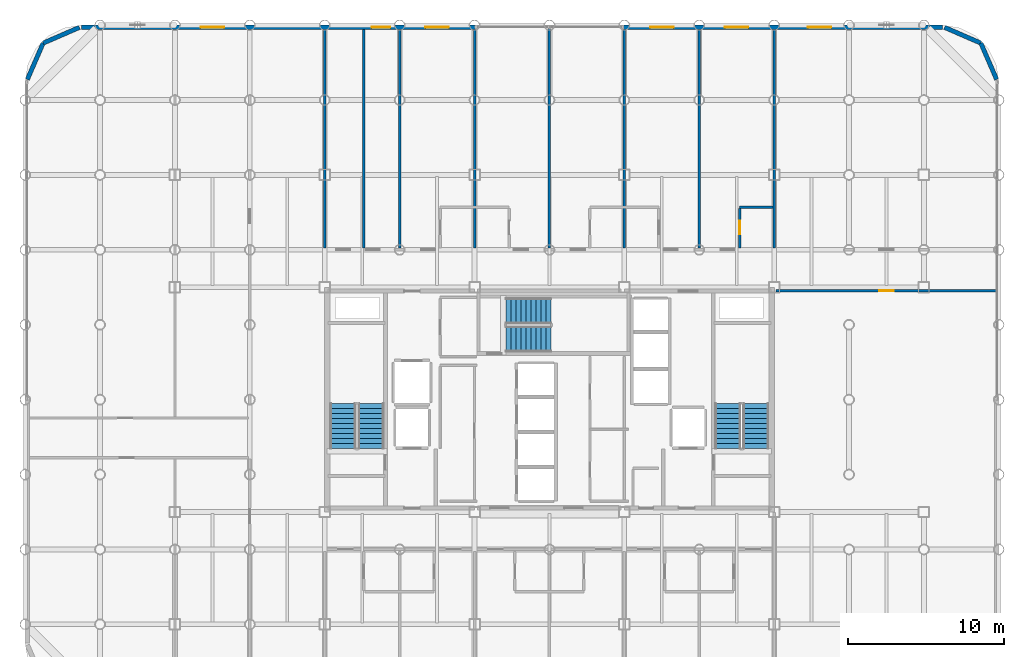
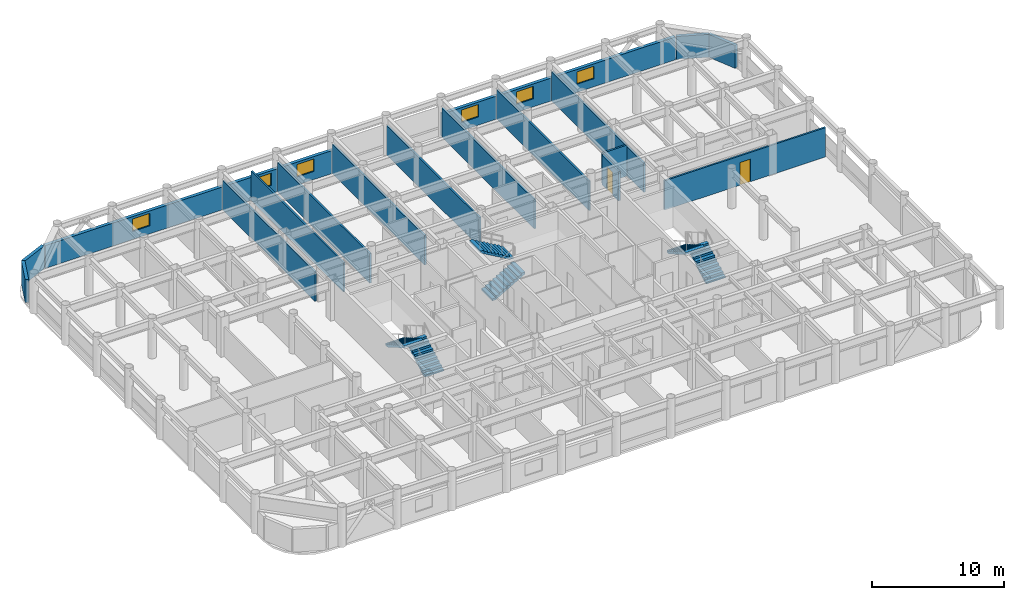
# One storey, part 19 of 20: 17 walls, 6 stair flights, 6 windows, 2 doors, 8 openings, 3 elements without a shape of their own.
"""IFC4 building model written with IfcOpenShell, lengths in metres."""

from ifc_helpers import new_model, si_unit, direction, frame, frame_2d, origin, place, context, subcontext, project, spatial, polyline, rectangle, outline, extrude, material, layer, layer_set, type_object, element, fill, aggregate, save


model = new_model("IFC4")

# Units and contexts
model_context = context("Model", 3, precision=1e-05, world=origin(), true_north=direction((0.0, 1.0)))
body_context = subcontext(model_context, "Body", "Model", "MODEL_VIEW")
ifc_project = project(units=[si_unit("LENGTHUNIT", "METRE"), si_unit("AREAUNIT", "SQUARE_METRE"), si_unit("VOLUMEUNIT", "CUBIC_METRE"), si_unit("PLANEANGLEUNIT", "RADIAN"), si_unit("MASSUNIT", "GRAM", prefix="KILO")], contexts=[model_context])

# Site, building, storey
site_placement = place(None, origin())
site = spatial("IfcSite", under=ifc_project, at=site_placement, CompositionType="ELEMENT")
building_placement = place(site_placement, origin())
building = spatial("IfcBuilding", under=site, at=building_placement, Name="Kallvorn Hotel Tower", CompositionType="ELEMENT")
storey_placement = place(building_placement, frame((0.0, 0.0, 128.5)))
storey = spatial("IfcBuildingStorey", under=building, at=storey_placement, Name="L31", CompositionType="ELEMENT", Elevation=128.5)

# Walls
ifc_material_1 = material(Name="Fire-rated double-layer acoustic gypsum drywall EI 60")
ifc_layer_1 = layer(ifc_material_1, 0.159912109375)
ifc_layer_set_1 = layer_set([ifc_layer_1], Name="WL_DEMISE_160")
wall_type_1 = type_object("IfcWallType", Name="WL_DEMISE_160", PredefinedType="PARTITIONING", material=ifc_layer_set_1)
wall_1_placement = place(storey_placement, frame((12.18994140625, 12.320068359375, 0.0), z_axis=(0.0, 0.0, 1.0), x_axis=(1.0, 0.0, 0.0)))
element("IfcWall", 1, at=wall_1_placement, inside=storey, type_object=wall_type_1, Name="L31 Suite 3111 Standard Twin Room Partition", PredefinedType="PARTITIONING", context=body_context, shape_type="SweptSolid", body=[
    extrude(rectangle(XDim=2.130126953125, YDim=0.159912109375, at=frame_2d((1.06494140625, 0.0))), origin(), (0.0, 0.0, 1.0), 2.8701171875),
])
for number, where, z_axis, x_axis, name in (
    (2, (-9.60009765625, 9.719970703125, 0.0), (0.0, 0.0, 1.0), (0.0, 1.0, 0.0), "L31 Suite 3107 Standard Twin Room Partition"),
    (3, (-4.800048828125, 9.719970703125, 0.0), (0.0, 0.0, 1.0), (0.0, 1.0, 0.0), "L31 Suite 3107 Standard Twin Room Partition"),
):
    element("IfcWall", number, at=place(storey_placement, frame(where, z_axis=z_axis, x_axis=x_axis)), inside=storey, type_object=wall_type_1, Name=name, PredefinedType="PARTITIONING", context=body_context, shape_type="SweptSolid", body=[
        extrude(rectangle(XDim=13.989990234375, YDim=0.159912109375, at=frame_2d((6.9951171875, 0.0))), origin(), (0.0, 0.0, 1.0), 2.719970703125),
    ])
wall_2_placement = place(storey_placement, frame((0.0, 9.719970703125, 0.0), z_axis=(0.0, 0.0, 1.0), x_axis=(0.0, 1.0, 0.0)))
element("IfcWall", 4, at=wall_2_placement, inside=storey, type_object=wall_type_1, Name="L31 Suite 3108 Standard Twin Room Partition", PredefinedType="PARTITIONING", context=body_context, shape_type="SweptSolid", body=[
    extrude(rectangle(XDim=14.074951171875, YDim=0.159912109375, at=frame_2d((7.03759765625, 0.0))), origin(), (0.0, 0.0, 1.0), 2.719970703125),
])
for number, where, z_axis, x_axis, name in (
    (5, (4.800048828125, 9.719970703125, 0.0), (0.0, 0.0, 1.0), (0.0, 1.0, 0.0), "L31 Suite 3109 Standard Twin Room Partition"),
    (6, (9.60009765625, 9.719970703125, 0.0), (0.0, 0.0, 1.0), (0.0, 1.0, 0.0), "L31 Suite 3110 Standard Twin Room Partition"),
):
    element("IfcWall", number, at=place(storey_placement, frame(where, z_axis=z_axis, x_axis=x_axis)), inside=storey, type_object=wall_type_1, Name=name, PredefinedType="PARTITIONING", context=body_context, shape_type="SweptSolid", body=[
        extrude(rectangle(XDim=13.989990234375, YDim=0.159912109375, at=frame_2d((6.9951171875, 0.0))), origin(), (0.0, 0.0, 1.0), 2.719970703125),
    ])

# Wall, opening, door
wall_3_placement = place(storey_placement, frame((12.18994140625, 9.719970703125, 0.0), z_axis=(0.0, 0.0, 1.0), x_axis=(0.0, 1.0, 0.0)))
wall_3 = element("IfcWall", 7, at=wall_3_placement, inside=storey, type_object=wall_type_1, Name="L31 Suite 3111 Standard Twin Room Partition", PredefinedType="PARTITIONING", context=body_context, shape_type="SweptSolid", body=[
    extrude(rectangle(XDim=2.51513671875, YDim=0.159912109375, at=frame_2d((1.257568359375, 0.0))), origin(), (0.0, 0.0, 1.0), 2.719970703125),
])
opening_1_placement = place(wall_3_placement, frame((0.8701171875, 0.0, 0.0)))
opening_1 = element("IfcOpeningElement", 8, at=opening_1_placement, cuts=wall_3, Name="Opening BD-I", PredefinedType="OPENING", context=body_context, shape_type="SweptSolid", body=[
    extrude(rectangle(XDim=0.860107421875, YDim=2.10009765625, at=frame_2d((0.43017578125, 1.050048828125))), frame((0.0, 0.094970703125, 0.0), z_axis=(0.0, -1.0, 0.0), x_axis=(1.0, 0.0, 0.0)), (0.0, 0.0, 1.0), 0.18994140625),
])
ifc_material_2 = material(Name="Solid-core walnut veneer fire-rated timber door leaf", Category="wood")
door_type_1 = type_object("IfcDoorType", Name="DR_BATH_860x2100", OperationType="NOTDEFINED", PredefinedType="DOOR", material=ifc_material_2)
door_1_placement = place(opening_1_placement, origin())
door_1 = element("IfcDoor", 9, at=door_1_placement, inside=storey, type_object=door_type_1, Name="L31 Suite 3111 En-Suite Bathroom Door", OperationType="SINGLE_SWING_LEFT", OverallHeight=2.10009765625, OverallWidth=0.860107421875, PredefinedType="DOOR", context=body_context, shape_type="SweptSolid", body=[
    extrude(rectangle(XDim=0.860107421875, YDim=2.10009765625, at=frame_2d((0.43017578125, 1.050048828125))), frame((0.0, 0.02490234375, 0.0), z_axis=(0.0, -1.0, 0.0), x_axis=(1.0, 0.0, 0.0)), (0.0, 0.0, 1.0), 0.050048828125),
])
fill(opening_1, door_1)

# Walls
wall_4_placement = place(storey_placement, frame((14.39990234375, 9.719970703125, 0.0), z_axis=(0.0, 0.0, 1.0), x_axis=(0.0, 1.0, 0.0)))
element("IfcWall", 10, at=wall_4_placement, inside=storey, type_object=wall_type_1, Name="L31 Suite 3111 Standard Twin Room Partition", PredefinedType="PARTITIONING", context=body_context, shape_type="SweptSolid", body=[
    extrude(rectangle(XDim=13.989990234375, YDim=0.159912109375, at=frame_2d((6.9951171875, 0.0))), origin(), (0.0, 0.0, 1.0), 2.719970703125),
])
ifc_material_3 = material(Name="Precast basalt-clad insulated concrete wall C40/50", Category="masonry")
ifc_layer_2 = layer(ifc_material_3, 0.280029296875)
ifc_layer_set_2 = layer_set([ifc_layer_2], Name="WL_EXT_LOGGIA_280")
wall_type_2 = type_object("IfcWallType", Name="WL_EXT_LOGGIA_280", PredefinedType="SOLIDWALL", material=ifc_layer_set_2)
wall_5_placement = place(storey_placement, frame((28.657958984375, 20.520751953125, 0.0), z_axis=(0.0, 0.0, 1.0), x_axis=(-0.398792985289, 0.917040977756, 0.0)))
element("IfcWall", 11, at=wall_5_placement, inside=storey, type_object=wall_type_2, Name="L31 Rounded Corner Exterior Wall NE1", PredefinedType="SOLIDWALL", context=body_context, shape_type="SweptSolid", body=[
    extrude(rectangle(XDim=2.536376953125, YDim=0.280029296875, at=frame_2d((1.26806640625, 0.0))), origin(), (0.0, 0.0, 1.0), 2.1201171875),
])
for number, where, z_axis, x_axis, name in (
    (12, (27.646484375, 22.8466796875, 0.0), (0.0, 0.0, 1.0), (-0.917060872934, 0.398747232384, 0.0), "L31 Rounded Corner Exterior Wall NE2"),
    (13, (-30.120849609375, 23.85791015625, 0.0), (0.0, 0.0, 1.0), (-0.917060872934, -0.398747232384, 0.0), "L31 Rounded Corner Exterior Wall NW1"),
):
    element("IfcWall", number, at=place(storey_placement, frame(where, z_axis=z_axis, x_axis=x_axis)), inside=storey, type_object=wall_type_2, Name=name, PredefinedType="SOLIDWALL", context=body_context, shape_type="SweptSolid", body=[
        extrude(rectangle(XDim=2.5361328125, YDim=0.280029296875, at=frame_2d((1.26806640625, 0.0))), origin(), (0.0, 0.0, 1.0), 2.1201171875),
    ])
wall_6_placement = place(storey_placement, frame((-32.446533203125, 22.8466796875, 0.0), z_axis=(0.0, 0.0, 1.0), x_axis=(-0.398792985289, -0.917040977756, 0.0)))
element("IfcWall", 14, at=wall_6_placement, inside=storey, type_object=wall_type_2, Name="L31 Rounded Corner Exterior Wall NW2", PredefinedType="SOLIDWALL", context=body_context, shape_type="SweptSolid", body=[
    extrude(rectangle(XDim=2.536376953125, YDim=0.280029296875, at=frame_2d((1.26806640625, 0.0))), origin(), (0.0, 0.0, 1.0), 2.1201171875),
])

# Wall, openings, windows
wall_7_placement = place(storey_placement, frame((-30.0, 23.860107421875, 0.0), z_axis=(0.0, 0.0, 1.0), x_axis=(1.0, 0.0, 0.0)))
wall_7 = element("IfcWall", 15, at=wall_7_placement, inside=storey, type_object=wall_type_2, Name="L31 Exterior Envelope Wall EW-L31-NW", PredefinedType="SOLIDWALL", context=body_context, shape_type="SweptSolid", body=[
    extrude(rectangle(XDim=25.25, YDim=0.280029296875, at=frame_2d((12.625, 0.0))), origin(), (0.0, 0.0, 1.0), 2.1201171875),
])
opening_2_placement = place(wall_7_placement, frame((7.64990234375, 0.0, 0.75)))
opening_2 = element("IfcOpeningElement", 16, at=opening_2_placement, cuts=wall_7, Name="Opening W05A", PredefinedType="OPENING", context=body_context, shape_type="SweptSolid", body=[
    extrude(rectangle(XDim=1.5, YDim=1.14990234375, at=frame_2d((0.75, 0.574951171875))), frame((0.0, 0.155029296875, 0.0), z_axis=(0.0, -1.0, 0.0), x_axis=(1.0, 0.0, 0.0)), (0.0, 0.0, 1.0), 0.31005859375),
])
opening_3_placement = place(wall_7_placement, frame((18.60009765625, 0.0, 0.75)))
opening_3 = element("IfcOpeningElement", 17, at=opening_3_placement, cuts=wall_7, Name="Opening W06A", PredefinedType="OPENING", context=body_context, shape_type="SweptSolid", body=[
    extrude(rectangle(XDim=1.199951171875, YDim=1.14990234375, at=frame_2d((0.60009765625, 0.574951171875))), frame((0.0, 0.155029296875, 0.0), z_axis=(0.0, -1.0, 0.0), x_axis=(1.0, 0.0, 0.0)), (0.0, 0.0, 1.0), 0.31005859375),
])
opening_4_placement = place(wall_7_placement, frame((22.050048828125, 0.0, 0.75)))
opening_4 = element("IfcOpeningElement", 18, at=opening_4_placement, cuts=wall_7, Name="Opening W05A", PredefinedType="OPENING", context=body_context, shape_type="SweptSolid", body=[
    extrude(rectangle(XDim=1.5, YDim=1.14990234375, at=frame_2d((0.75, 0.574951171875))), frame((0.0, 0.155029296875, 0.0), z_axis=(0.0, -1.0, 0.0), x_axis=(1.0, 0.0, 0.0)), (0.0, 0.0, 1.0), 0.31005859375),
])
ifc_material_4 = material(Name="Triple-glazed low-e acoustic solar-control dark glass", Category="glass")
window_type_1 = type_object("IfcWindowType", Name="WN_HTL_1200x1150", PartitioningType="SINGLE_PANEL", PredefinedType="WINDOW", material=ifc_material_4)
window_1_placement = place(opening_3_placement, origin())
window_1 = element("IfcWindow", 19, at=window_1_placement, inside=storey, type_object=window_type_1, Name="L31 Guestroom Exterior Window 09", OverallHeight=1.14990234375, OverallWidth=1.199951171875, PartitioningType="SINGLE_PANEL", PredefinedType="WINDOW", context=body_context, shape_type="SweptSolid", body=[
    extrude(rectangle(XDim=1.199951171875, YDim=1.14990234375, at=frame_2d((0.60009765625, 0.574951171875))), frame((0.0, 0.030029296875, 0.0), z_axis=(0.0, -1.0, 0.0), x_axis=(1.0, 0.0, 0.0)), (0.0, 0.0, 1.0), 0.06005859375),
])
fill(opening_3, window_1)
ifc_material_5 = material(Name="Double-glazed low-e solar-control dark glass", Category="glass")
window_type_2 = type_object("IfcWindowType", Name="WN_HTL_1500x1150", PartitioningType="SINGLE_PANEL", PredefinedType="WINDOW", material=ifc_material_5)
window_2_placement = place(opening_2_placement, origin())
window_2 = element("IfcWindow", 20, at=window_2_placement, inside=storey, type_object=window_type_2, Name="L31 Guestroom Exterior Window 02", OverallHeight=1.14990234375, OverallWidth=1.5, PartitioningType="SINGLE_PANEL", PredefinedType="WINDOW", context=body_context, shape_type="SweptSolid", body=[
    extrude(rectangle(XDim=1.5, YDim=1.14990234375, at=frame_2d((0.75, 0.574951171875))), frame((0.0, 0.030029296875, 0.0), z_axis=(0.0, -1.0, 0.0), x_axis=(1.0, 0.0, 0.0)), (0.0, 0.0, 1.0), 0.06005859375),
])
fill(opening_2, window_2)
window_3_placement = place(opening_4_placement, origin())
window_3 = element("IfcWindow", 21, at=window_3_placement, inside=storey, type_object=window_type_2, Name="L31 Guestroom Exterior Window 10", OverallHeight=1.14990234375, OverallWidth=1.5, PartitioningType="SINGLE_PANEL", PredefinedType="WINDOW", context=body_context, shape_type="SweptSolid", body=[
    extrude(rectangle(XDim=1.5, YDim=1.14990234375, at=frame_2d((0.75, 0.574951171875))), frame((0.0, 0.030029296875, 0.0), z_axis=(0.0, -1.0, 0.0), x_axis=(1.0, 0.0, 0.0)), (0.0, 0.0, 1.0), 0.06005859375),
])
fill(opening_4, window_3)

wall_8_placement = place(storey_placement, frame((4.75, 23.860107421875, 0.0), z_axis=(0.0, 0.0, 1.0), x_axis=(1.0, 0.0, 0.0)))
wall_8 = element("IfcWall", 22, at=wall_8_placement, inside=storey, type_object=wall_type_2, Name="L31 Exterior Envelope Wall EW-L31-NE", PredefinedType="SOLIDWALL", context=body_context, shape_type="SweptSolid", body=[
    extrude(rectangle(XDim=20.449951171875, YDim=0.280029296875, at=frame_2d((10.22509765625, 0.0))), origin(), (0.0, 0.0, 1.0), 2.1201171875),
])
opening_5_placement = place(wall_8_placement, frame((11.81689453125, 0.0, 0.75)))
opening_5 = element("IfcOpeningElement", 23, at=opening_5_placement, cuts=wall_8, Name="Opening W05A", PredefinedType="OPENING", context=body_context, shape_type="SweptSolid", body=[
    extrude(rectangle(XDim=1.5, YDim=1.14990234375, at=frame_2d((0.75, 0.574951171875))), frame((0.0, 0.155029296875, 0.0), z_axis=(0.0, -1.0, 0.0), x_axis=(1.0, 0.0, 0.0)), (0.0, 0.0, 1.0), 0.31005859375),
])
opening_6_placement = place(wall_8_placement, frame((1.699951171875, 0.0, 0.75)))
opening_6 = element("IfcOpeningElement", 24, at=opening_6_placement, cuts=wall_8, Name="Opening W05A", PredefinedType="OPENING", context=body_context, shape_type="SweptSolid", body=[
    extrude(rectangle(XDim=1.5, YDim=1.14990234375, at=frame_2d((0.75, 0.574951171875))), frame((0.0, 0.155029296875, 0.0), z_axis=(0.0, -1.0, 0.0), x_axis=(1.0, 0.0, 0.0)), (0.0, 0.0, 1.0), 0.31005859375),
])
opening_7_placement = place(wall_8_placement, frame((6.5, 0.0, 0.75)))
opening_7 = element("IfcOpeningElement", 25, at=opening_7_placement, cuts=wall_8, Name="Opening W05A", PredefinedType="OPENING", context=body_context, shape_type="SweptSolid", body=[
    extrude(rectangle(XDim=1.5, YDim=1.14990234375, at=frame_2d((0.75, 0.574951171875))), frame((0.0, 0.155029296875, 0.0), z_axis=(0.0, -1.0, 0.0), x_axis=(1.0, 0.0, 0.0)), (0.0, 0.0, 1.0), 0.31005859375),
])
window_4_placement = place(opening_5_placement, origin())
window_4 = element("IfcWindow", 26, at=window_4_placement, inside=storey, type_object=window_type_2, Name="L31 Guestroom Exterior Window 03", OverallHeight=1.14990234375, OverallWidth=1.5, PartitioningType="SINGLE_PANEL", PredefinedType="WINDOW", context=body_context, shape_type="SweptSolid", body=[
    extrude(rectangle(XDim=1.5, YDim=1.14990234375, at=frame_2d((0.75, 0.574951171875))), frame((0.0, 0.030029296875, 0.0), z_axis=(0.0, -1.0, 0.0), x_axis=(1.0, 0.0, 0.0)), (0.0, 0.0, 1.0), 0.06005859375),
])
fill(opening_5, window_4)
window_5_placement = place(opening_6_placement, origin())
window_5 = element("IfcWindow", 27, at=window_5_placement, inside=storey, type_object=window_type_2, Name="L31 Guestroom Exterior Window 11", OverallHeight=1.14990234375, OverallWidth=1.5, PartitioningType="SINGLE_PANEL", PredefinedType="WINDOW", context=body_context, shape_type="SweptSolid", body=[
    extrude(rectangle(XDim=1.5, YDim=1.14990234375, at=frame_2d((0.75, 0.574951171875))), frame((0.0, 0.030029296875, 0.0), z_axis=(0.0, -1.0, 0.0), x_axis=(1.0, 0.0, 0.0)), (0.0, 0.0, 1.0), 0.06005859375),
])
fill(opening_6, window_5)
window_6_placement = place(opening_7_placement, origin())
window_6 = element("IfcWindow", 28, at=window_6_placement, inside=storey, type_object=window_type_2, Name="L31 Guestroom Exterior Window 12", OverallHeight=1.14990234375, OverallWidth=1.5, PartitioningType="SINGLE_PANEL", PredefinedType="WINDOW", context=body_context, shape_type="SweptSolid", body=[
    extrude(rectangle(XDim=1.5, YDim=1.14990234375, at=frame_2d((0.75, 0.574951171875))), frame((0.0, 0.030029296875, 0.0), z_axis=(0.0, -1.0, 0.0), x_axis=(1.0, 0.0, 0.0)), (0.0, 0.0, 1.0), 0.06005859375),
])
fill(opening_7, window_6)

# Wall, opening, door
ifc_material_6 = material(Name="Fire-rated double-layer acoustic gypsum drywall EI 60")
ifc_layer_3 = layer(ifc_material_6, 0.14990234375)
ifc_layer_set_3 = layer_set([ifc_layer_3], Name="WL_PART_150")
wall_type_3 = type_object("IfcWallType", Name="WL_PART_150", PredefinedType="PARTITIONING", material=ifc_layer_set_3)
wall_9_placement = place(storey_placement, frame((14.52001953125, 6.97998046875, 0.0), z_axis=(0.0, 0.0, 1.0), x_axis=(1.0, 0.0, 0.0)))
wall_9 = element("IfcWall", 29, at=wall_9_placement, inside=storey, type_object=wall_type_3, Name="L31 L31 South-East Sommelier Wine Bar Partition", PredefinedType="PARTITIONING", context=body_context, shape_type="SweptSolid", body=[
    extrude(rectangle(XDim=14.10986328125, YDim=0.14990234375, at=frame_2d((7.054931640625, 0.0))), origin(), (0.0, 0.0, 1.0), 2.719970703125),
])
opening_8_placement = place(wall_9_placement, frame((6.6298828125, 0.0, 0.0)))
opening_8 = element("IfcOpeningElement", 30, at=opening_8_placement, cuts=wall_9, Name="Opening SVD1", PredefinedType="OPENING", context=body_context, shape_type="SweptSolid", body=[
    extrude(rectangle(XDim=0.89990234375, YDim=2.10009765625, at=frame_2d((0.449951171875, 1.050048828125))), frame((0.0, 0.08984375, 0.0), z_axis=(0.0, -1.0, 0.0), x_axis=(1.0, 0.0, 0.0)), (0.0, 0.0, 1.0), 0.179931640625),
])
ifc_material_7 = material(Name="Galvanised painted steel fire-rated door assembly", Category="steel")
door_type_2 = type_object("IfcDoorType", Name="DR_SERV_900x2100", OperationType="NOTDEFINED", PredefinedType="DOOR", material=ifc_material_7)
door_2_placement = place(opening_8_placement, origin())
door_2 = element("IfcDoor", 31, at=door_2_placement, inside=storey, type_object=door_type_2, Name="L31 L31 South-East Sommelier Wine Bar Door", OperationType="SINGLE_SWING_LEFT", OverallHeight=2.10009765625, OverallWidth=0.89990234375, PredefinedType="DOOR", context=body_context, shape_type="SweptSolid", body=[
    extrude(rectangle(XDim=0.89990234375, YDim=2.10009765625, at=frame_2d((0.449951171875, 1.050048828125))), frame((0.0, 0.02490234375, 0.0), z_axis=(0.0, -1.0, 0.0), x_axis=(1.0, 0.0, 0.0)), (0.0, 0.0, 1.0), 0.050048828125),
])
fill(opening_8, door_2)

# Walls
for number, where, z_axis, x_axis, name in (
    (32, (-14.39990234375, 9.719970703125, 0.0), (0.0, 0.0, 1.0), (0.0, 1.0, 0.0), "L31 Housekeeping and Linen Room Partition"),
    (33, (-11.905029296875, 9.719970703125, 0.0), (0.0, 0.0, 1.0), (0.0, 1.0, 0.0), "L31 Guest Tea and Refreshment Bar Partition"),
):
    element("IfcWall", number, at=place(storey_placement, frame(where, z_axis=z_axis, x_axis=x_axis)), inside=storey, type_object=wall_type_3, Name=name, PredefinedType="PARTITIONING", context=body_context, shape_type="SweptSolid", body=[
        extrude(rectangle(XDim=13.989990234375, YDim=0.14990234375, at=frame_2d((6.9951171875, 0.0))), origin(), (0.0, 0.0, 1.0), 2.719970703125),
    ])

# Stair, stair flights
ifc_material_8 = material(Name="Precast concrete C40/50", Category="concrete")
stair_type = type_object("IfcStairType", Name="STR_CORE_DOGLEG", PredefinedType="HALF_TURN_STAIR", material=ifc_material_8)
stair_1_placement = place(storey_placement, origin())
stair_1 = element("IfcStair", 34, at=stair_1_placement, inside=storey, type_object=stair_type, Name="L31 Exit stair ST1", PredefinedType="HALF_TURN_STAIR")
ifc_material_9 = material(Name="Precast concrete C40/50", Category="concrete")
stair_flight_type = type_object("IfcStairFlightType", Name="FLT_CORE_1660", PredefinedType="STRAIGHT", material=ifc_material_9)
stair_flight_1_placement = place(storey_placement, frame((-11.429931640625, -3.139892578125, 0.0), z_axis=(0.0, 0.0, 1.0), x_axis=(0.0, 1.0, 0.0)))
stair_flight_1 = element("IfcStairFlight", 35, at=stair_flight_1_placement, type_object=stair_flight_type, Name="ST1 flight 1", NumberOfRisers=10, NumberOfTreads=9, PredefinedType="STRAIGHT", RiserHeight=0.185, TreadLength=0.32, context=body_context, shape_type="SweptSolid", body=[
    extrude(outline(polyline([(0.0, 0.0), (0.0, 0.18505859375), (0.320068359375, 0.18505859375), (0.320068359375, 0.3701171875), (0.639892578125, 0.3701171875), (0.639892578125, 0.554931640625), (0.9599609375, 0.554931640625), (0.9599609375, 0.739990234375), (1.280029296875, 0.739990234375), (1.280029296875, 0.925048828125), (1.60009765625, 0.925048828125), (1.60009765625, 1.110107421875), (1.919921875, 1.110107421875), (1.919921875, 1.294921875), (2.239990234375, 1.294921875), (2.239990234375, 1.47998046875), (2.56005859375, 1.47998046875), (2.56005859375, 1.6650390625), (2.8798828125, 1.6650390625), (2.8798828125, 1.85009765625), (2.8798828125, 1.491943359375), (0.299560546875, 0.0), (0.0, 0.0)])), frame((0.0, 0.830078125, 0.0), z_axis=(0.0, -1.0, 0.0), x_axis=(1.0, 0.0, 0.0)), (0.0, 0.0, 1.0), 1.659912109375),
])
stair_flight_2_placement = place(storey_placement, frame((-13.22998046875, -0.260009765625, 1.85009765625), z_axis=(0.0, 0.0, 1.0), x_axis=(0.0, -1.0, 0.0)))
stair_flight_2 = element("IfcStairFlight", 36, at=stair_flight_2_placement, type_object=stair_flight_type, Name="ST1 flight 2", NumberOfRisers=10, NumberOfTreads=9, PredefinedType="STRAIGHT", RiserHeight=0.185, TreadLength=0.32, context=body_context, shape_type="SweptSolid", body=[
    extrude(outline(polyline([(0.0, 0.0), (0.0, 0.18505859375), (0.320068359375, 0.18505859375), (0.320068359375, 0.3701171875), (0.639892578125, 0.3701171875), (0.639892578125, 0.554931640625), (0.9599609375, 0.554931640625), (0.9599609375, 0.739990234375), (1.280029296875, 0.739990234375), (1.280029296875, 0.925048828125), (1.60009765625, 0.925048828125), (1.60009765625, 1.110107421875), (1.919921875, 1.110107421875), (1.919921875, 1.294921875), (2.239990234375, 1.294921875), (2.239990234375, 1.47998046875), (2.56005859375, 1.47998046875), (2.56005859375, 1.6650390625), (2.8798828125, 1.6650390625), (2.8798828125, 1.85009765625), (2.8798828125, 1.491943359375), (0.299560546875, 0.0), (0.0, 0.0)])), frame((0.0, 0.830078125, 0.0), z_axis=(0.0, -1.0, 0.0), x_axis=(1.0, 0.0, 0.0)), (0.0, 0.0, 1.0), 1.659912109375),
])
aggregate(stair_1, [stair_flight_1, stair_flight_2])

stair_2_placement = place(storey_placement, origin())
stair_2 = element("IfcStair", 37, at=stair_2_placement, inside=storey, type_object=stair_type, Name="L31 Exit stair ST2", PredefinedType="HALF_TURN_STAIR")
stair_flight_3_placement = place(storey_placement, frame((13.22998046875, -3.139892578125, 0.0), z_axis=(0.0, 0.0, 1.0), x_axis=(0.0, 1.0, 0.0)))
stair_flight_3 = element("IfcStairFlight", 38, at=stair_flight_3_placement, type_object=stair_flight_type, Name="ST2 flight 1", NumberOfRisers=10, NumberOfTreads=9, PredefinedType="STRAIGHT", RiserHeight=0.185, TreadLength=0.32, context=body_context, shape_type="SweptSolid", body=[
    extrude(outline(polyline([(0.0, 0.0), (0.0, 0.18505859375), (0.320068359375, 0.18505859375), (0.320068359375, 0.3701171875), (0.639892578125, 0.3701171875), (0.639892578125, 0.554931640625), (0.9599609375, 0.554931640625), (0.9599609375, 0.739990234375), (1.280029296875, 0.739990234375), (1.280029296875, 0.925048828125), (1.60009765625, 0.925048828125), (1.60009765625, 1.110107421875), (1.919921875, 1.110107421875), (1.919921875, 1.294921875), (2.239990234375, 1.294921875), (2.239990234375, 1.47998046875), (2.56005859375, 1.47998046875), (2.56005859375, 1.6650390625), (2.8798828125, 1.6650390625), (2.8798828125, 1.85009765625), (2.8798828125, 1.491943359375), (0.299560546875, 0.0), (0.0, 0.0)])), frame((0.0, 0.830078125, 0.0), z_axis=(0.0, -1.0, 0.0), x_axis=(1.0, 0.0, 0.0)), (0.0, 0.0, 1.0), 1.659912109375),
])
stair_flight_4_placement = place(storey_placement, frame((11.429931640625, -0.260009765625, 1.85009765625), z_axis=(0.0, 0.0, 1.0), x_axis=(0.0, -1.0, 0.0)))
stair_flight_4 = element("IfcStairFlight", 39, at=stair_flight_4_placement, type_object=stair_flight_type, Name="ST2 flight 2", NumberOfRisers=10, NumberOfTreads=9, PredefinedType="STRAIGHT", RiserHeight=0.185, TreadLength=0.32, context=body_context, shape_type="SweptSolid", body=[
    extrude(outline(polyline([(0.0, 0.0), (0.0, 0.18505859375), (0.320068359375, 0.18505859375), (0.320068359375, 0.3701171875), (0.639892578125, 0.3701171875), (0.639892578125, 0.554931640625), (0.9599609375, 0.554931640625), (0.9599609375, 0.739990234375), (1.280029296875, 0.739990234375), (1.280029296875, 0.925048828125), (1.60009765625, 0.925048828125), (1.60009765625, 1.110107421875), (1.919921875, 1.110107421875), (1.919921875, 1.294921875), (2.239990234375, 1.294921875), (2.239990234375, 1.47998046875), (2.56005859375, 1.47998046875), (2.56005859375, 1.6650390625), (2.8798828125, 1.6650390625), (2.8798828125, 1.85009765625), (2.8798828125, 1.491943359375), (0.299560546875, 0.0), (0.0, 0.0)])), frame((0.0, 0.830078125, 0.0), z_axis=(0.0, -1.0, 0.0), x_axis=(1.0, 0.0, 0.0)), (0.0, 0.0, 1.0), 1.659912109375),
])
aggregate(stair_2, [stair_flight_3, stair_flight_4])

stair_3_placement = place(storey_placement, origin())
stair_3 = element("IfcStair", 40, at=stair_3_placement, inside=storey, type_object=stair_type, Name="L31 Exit stair ST3", PredefinedType="HALF_TURN_STAIR")
stair_flight_5_placement = place(storey_placement, frame((-2.7900390625, 3.8798828125, 0.0), z_axis=(0.0, 0.0, 1.0), x_axis=(1.0, 0.0, 0.0)))
stair_flight_5 = element("IfcStairFlight", 41, at=stair_flight_5_placement, type_object=stair_flight_type, Name="ST3 flight 1", NumberOfRisers=10, NumberOfTreads=9, PredefinedType="STRAIGHT", RiserHeight=0.185, TreadLength=0.32, context=body_context, shape_type="SweptSolid", body=[
    extrude(outline(polyline([(0.0, 0.0), (0.0, 0.18505859375), (0.320068359375, 0.18505859375), (0.320068359375, 0.3701171875), (0.639892578125, 0.3701171875), (0.639892578125, 0.554931640625), (0.9599609375, 0.554931640625), (0.9599609375, 0.739990234375), (1.280029296875, 0.739990234375), (1.280029296875, 0.925048828125), (1.60009765625, 0.925048828125), (1.60009765625, 1.110107421875), (1.919921875, 1.110107421875), (1.919921875, 1.294921875), (2.239990234375, 1.294921875), (2.239990234375, 1.47998046875), (2.56005859375, 1.47998046875), (2.56005859375, 1.6650390625), (2.8798828125, 1.6650390625), (2.8798828125, 1.85009765625), (2.8798828125, 1.491943359375), (0.299560546875, 0.0), (0.0, 0.0)])), frame((0.0, 0.830078125, 0.0), z_axis=(0.0, -1.0, 0.0), x_axis=(1.0, 0.0, 0.0)), (0.0, 0.0, 1.0), 1.659912109375),
])
stair_flight_6_placement = place(storey_placement, frame((0.090087890625, 5.679931640625, 1.85009765625), z_axis=(0.0, 0.0, 1.0), x_axis=(-1.0, 0.0, 0.0)))
stair_flight_6 = element("IfcStairFlight", 42, at=stair_flight_6_placement, type_object=stair_flight_type, Name="ST3 flight 2", NumberOfRisers=10, NumberOfTreads=9, PredefinedType="STRAIGHT", RiserHeight=0.185, TreadLength=0.32, context=body_context, shape_type="SweptSolid", body=[
    extrude(outline(polyline([(0.0, 0.0), (0.0, 0.18505859375), (0.320068359375, 0.18505859375), (0.320068359375, 0.3701171875), (0.639892578125, 0.3701171875), (0.639892578125, 0.554931640625), (0.9599609375, 0.554931640625), (0.9599609375, 0.739990234375), (1.280029296875, 0.739990234375), (1.280029296875, 0.925048828125), (1.60009765625, 0.925048828125), (1.60009765625, 1.110107421875), (1.919921875, 1.110107421875), (1.919921875, 1.294921875), (2.239990234375, 1.294921875), (2.239990234375, 1.47998046875), (2.56005859375, 1.47998046875), (2.56005859375, 1.6650390625), (2.8798828125, 1.6650390625), (2.8798828125, 1.85009765625), (2.8798828125, 1.491943359375), (0.299560546875, 0.0), (0.0, 0.0)])), frame((0.0, 0.830078125, 0.0), z_axis=(0.0, -1.0, 0.0), x_axis=(1.0, 0.0, 0.0)), (0.0, 0.0, 1.0), 1.659912109375),
])
aggregate(stair_3, [stair_flight_5, stair_flight_6])

save(model, "model.ifc")
